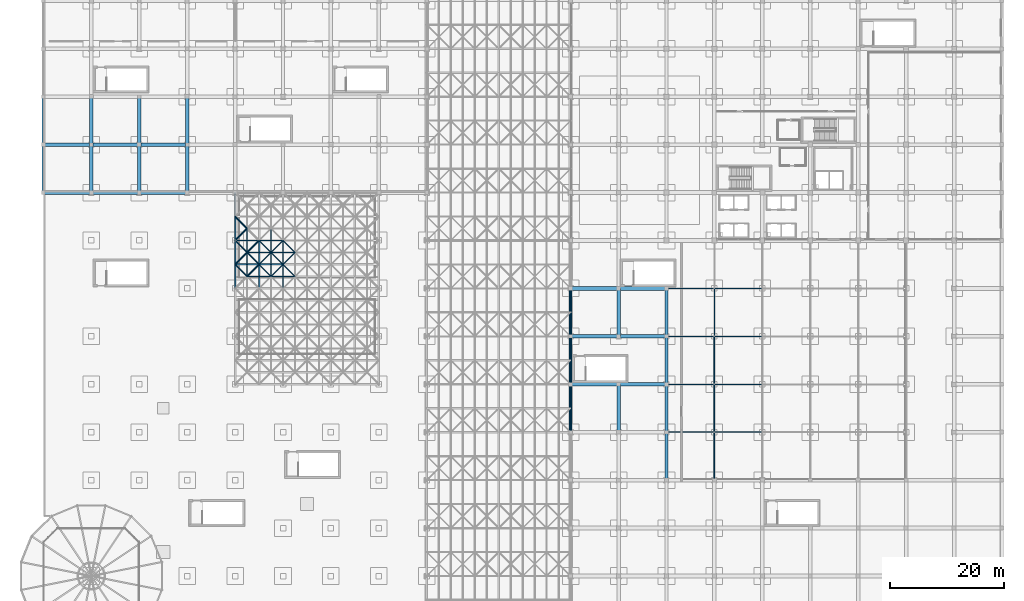
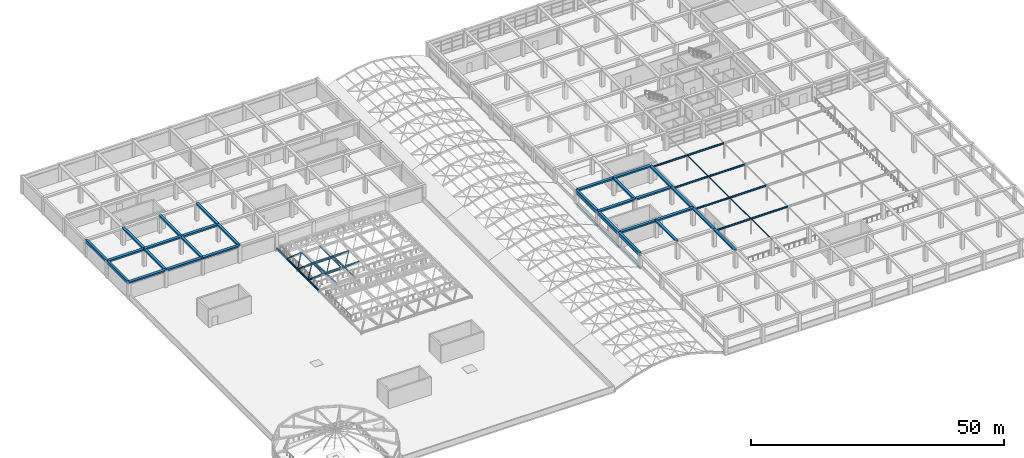
# One storey, part 23 of 85: 42 beams, 40 members.
"""IFC4 building model written with IfcOpenShell, lengths in metres."""

from ifc_helpers import new_model, si_unit, direction, frame, origin, origin_2d, place, context, subcontext, project, spatial, rectangle, hollow_rectangle, hollow_circle, i_section, extrude, material, material_profile, profile_set, type_object, element, save


model = new_model("IFC4")

# Units and contexts
model_context = context("Model", 3, precision=1e-05, world=origin(), true_north=direction((0.0, 1.0)))
body_context = subcontext(model_context, "Body", "Model", "MODEL_VIEW")
ifc_project = project(units=[si_unit("LENGTHUNIT", "METRE"), si_unit("AREAUNIT", "SQUARE_METRE"), si_unit("VOLUMEUNIT", "CUBIC_METRE"), si_unit("PLANEANGLEUNIT", "RADIAN"), si_unit("MASSUNIT", "GRAM", prefix="KILO")], contexts=[model_context])

# Site, building, storey
site_placement = place(None, origin())
site = spatial("IfcSite", under=ifc_project, at=site_placement, CompositionType="ELEMENT")
building_placement = place(site_placement, origin())
building = spatial("IfcBuilding", under=site, at=building_placement, Name="Almacenes y Pasaje Nevantli", CompositionType="ELEMENT")
storey_placement = place(building_placement, frame((0.0, 0.0, 22.199951171875)))
storey = spatial("IfcBuildingStorey", under=building, at=storey_placement, Name="L05", CompositionType="ELEMENT", Elevation=22.199951171875)

# Beams
ifc_material_1 = material(Name="Concrete C35/45", Category="concrete")
ifc_material_profile_1 = material_profile(ifc_material_1, rectangle(XDim=0.449951171875, YDim=0.699951171875, at=origin_2d()), Name="RC-BM-450x700")
ifc_profile_set_1 = profile_set([ifc_material_profile_1], Name="Concrete C35/45")
beam_type_1 = type_object("IfcBeamType", Name="BM-RC-450x700", PredefinedType="SPANDREL", material=ifc_profile_set_1)
for number, where, z_axis, x_axis, name in (
    (1, (0.0, 75.60009765625, 3.8701171875), (0.0, 1.0, 0.0), (-1.0, 0.0, 0.0), "L05 North-South Reinforced Concrete Beam #3422"),
    (2, (0.0, 84.0, 3.8701171875), (0.0, 1.0, 0.0), (-1.0, 0.0, 0.0), "L05 North-South Reinforced Concrete Beam #3423"),
):
    element("IfcBeam", number, at=place(storey_placement, frame(where, z_axis=z_axis, x_axis=x_axis)), inside=storey, type_object=beam_type_1, Name=name, PredefinedType="SPANDREL", context=body_context, shape_type="SweptSolid", body=[
        extrude(rectangle(XDim=0.449951171875, YDim=0.699951171875, at=origin_2d()), origin(), (0.0, 0.0, 1.0), 8.39990234375),
    ])
ifc_material_2 = material(Name="Concrete C35/45", Category="concrete")
ifc_material_profile_2 = material_profile(ifc_material_2, rectangle(XDim=0.550048828125, YDim=0.800048828125, at=origin_2d()), Name="RC-BM-550x800")
ifc_profile_set_2 = profile_set([ifc_material_profile_2], Name="Concrete C35/45")
beam_type_2 = type_object("IfcBeamType", Name="BM-RC-550x800", PredefinedType="BEAM", material=ifc_profile_set_2)
for number, where, z_axis, x_axis, name in (
    (3, (92.39990234375, 33.60009765625, 3.820068359375), (0.0, 1.0, 0.0), (-1.0, 0.0, 0.0), "L05 North-South Reinforced Concrete Beam #3468"),
    (4, (92.39990234375, 42.0, 3.820068359375), (0.0, 1.0, 0.0), (-1.0, 0.0, 0.0), "L05 North-South Reinforced Concrete Beam #3469"),
):
    element("IfcBeam", number, at=place(storey_placement, frame(where, z_axis=z_axis, x_axis=x_axis)), inside=storey, type_object=beam_type_2, Name=name, PredefinedType="BEAM", context=body_context, shape_type="SweptSolid", body=[
        extrude(rectangle(XDim=0.550048828125, YDim=0.800048828125, at=origin_2d()), origin(), (0.0, 0.0, 1.0), 8.39990234375),
    ])
beam_1_placement = place(storey_placement, frame((92.39990234375, 50.39990234375, 3.820068359375), z_axis=(0.0, 1.0, 0.0), x_axis=(-1.0, 0.0, 0.0)))
element("IfcBeam", 5, at=beam_1_placement, inside=storey, type_object=beam_type_2, Name="L05 North-South Reinforced Concrete Beam #3470", PredefinedType="BEAM", context=body_context, shape_type="SweptSolid", body=[
    extrude(rectangle(XDim=0.550048828125, YDim=0.800048828125, at=origin_2d()), origin(), (0.0, 0.0, 1.0), 8.400146484375),
])
ifc_material_3 = material(Name="Concrete C35/45", Category="concrete")
ifc_material_profile_3 = material_profile(ifc_material_3, rectangle(XDim=0.60009765625, YDim=0.320068359375, at=origin_2d()), Name="RC-BM-600x320")
ifc_profile_set_3 = profile_set([ifc_material_profile_3], Name="Concrete C35/45")
beam_type_3 = type_object("IfcBeamType", Name="BM-RC-600x320", PredefinedType="BEAM", material=ifc_profile_set_3)
for number, where, z_axis, x_axis, name in (
    (6, (8.39990234375, 84.0, 4.06005859375), (0.0, 1.0, 0.0), (-1.0, 0.0, 0.0), "L05 North-South Reinforced Concrete Beam #3428"),
    (7, (16.800048828125, 75.60009765625, 4.06005859375), (0.0, 1.0, 0.0), (-1.0, 0.0, 0.0), "L05 North-South Reinforced Concrete Beam #3432"),
    (8, (25.199951171875, 84.0, 4.06005859375), (0.0, 1.0, 0.0), (-1.0, 0.0, 0.0), "L05 North-South Reinforced Concrete Beam #3437"),
    (9, (109.199951171875, 33.60009765625, 4.06005859375), (0.0, 1.0, 0.0), (-1.0, 0.0, 0.0), "L05 North-South Reinforced Concrete Beam #3495"),
):
    element("IfcBeam", number, at=place(storey_placement, frame(where, z_axis=z_axis, x_axis=x_axis)), inside=storey, type_object=beam_type_3, Name=name, PredefinedType="BEAM", context=body_context, shape_type="SweptSolid", body=[
        extrude(rectangle(XDim=0.60009765625, YDim=0.320068359375, at=origin_2d()), origin(), (0.0, 0.0, 1.0), 8.39990234375),
    ])
beam_2_placement = place(storey_placement, frame((109.199951171875, 50.39990234375, 4.06005859375), z_axis=(0.0, 1.0, 0.0), x_axis=(-1.0, 0.0, 0.0)))
element("IfcBeam", 10, at=beam_2_placement, inside=storey, type_object=beam_type_3, Name="L05 North-South Reinforced Concrete Beam #3497", PredefinedType="BEAM", context=body_context, shape_type="SweptSolid", body=[
    extrude(rectangle(XDim=0.60009765625, YDim=0.320068359375, at=origin_2d()), origin(), (0.0, 0.0, 1.0), 8.400146484375),
])
ifc_material_4 = material(Name="Concrete C35/45", Category="concrete")
ifc_material_profile_4 = material_profile(ifc_material_4, rectangle(XDim=0.60009765625, YDim=0.340087890625, at=origin_2d()), Name="RC-BM-600x340")
ifc_profile_set_4 = profile_set([ifc_material_profile_4], Name="Concrete C35/45")
beam_type_4 = type_object("IfcBeamType", Name="BM-RC-600x340", PredefinedType="BEAM", material=ifc_profile_set_4)
for number, where, z_axis, x_axis, name in (
    (11, (8.39990234375, 75.60009765625, 4.050048828125), (0.0, 1.0, 0.0), (-1.0, 0.0, 0.0), "L05 North-South Reinforced Concrete Beam #3427"),
    (12, (16.800048828125, 84.0, 4.050048828125), (0.0, 1.0, 0.0), (-1.0, 0.0, 0.0), "L05 North-South Reinforced Concrete Beam #3433"),
    (13, (25.199951171875, 75.60009765625, 4.050048828125), (0.0, 1.0, 0.0), (-1.0, 0.0, 0.0), "L05 North-South Reinforced Concrete Beam #3436"),
    (14, (100.800048828125, 33.60009765625, 4.050048828125), (0.0, 1.0, 0.0), (-1.0, 0.0, 0.0), "L05 North-South Reinforced Concrete Beam #3482"),
):
    element("IfcBeam", number, at=place(storey_placement, frame(where, z_axis=z_axis, x_axis=x_axis)), inside=storey, type_object=beam_type_4, Name=name, PredefinedType="BEAM", context=body_context, shape_type="SweptSolid", body=[
        extrude(rectangle(XDim=0.60009765625, YDim=0.340087890625, at=origin_2d()), origin(), (0.0, 0.0, 1.0), 8.39990234375),
    ])
for number, where, z_axis, x_axis, name in (
    (15, (100.800048828125, 50.39990234375, 4.050048828125), (0.0, 1.0, 0.0), (-1.0, 0.0, 0.0), "L05 North-South Reinforced Concrete Beam #3483"),
    (16, (109.199951171875, 25.199951171875, 4.050048828125), (0.0, 1.0, 0.0), (-1.0, 0.0, 0.0), "L05 North-South Reinforced Concrete Beam #3494"),
):
    element("IfcBeam", number, at=place(storey_placement, frame(where, z_axis=z_axis, x_axis=x_axis)), inside=storey, type_object=beam_type_4, Name=name, PredefinedType="BEAM", context=body_context, shape_type="SweptSolid", body=[
        extrude(rectangle(XDim=0.60009765625, YDim=0.340087890625, at=origin_2d()), origin(), (0.0, 0.0, 1.0), 8.400146484375),
    ])
beam_3_placement = place(storey_placement, frame((109.199951171875, 42.0, 4.050048828125), z_axis=(0.0, 1.0, 0.0), x_axis=(-1.0, 0.0, 0.0)))
element("IfcBeam", 17, at=beam_3_placement, inside=storey, type_object=beam_type_4, Name="L05 North-South Reinforced Concrete Beam #3496", PredefinedType="BEAM", context=body_context, shape_type="SweptSolid", body=[
    extrude(rectangle(XDim=0.60009765625, YDim=0.340087890625, at=origin_2d()), origin(), (0.0, 0.0, 1.0), 8.39990234375),
])
ifc_material_5 = material(Name="Concrete C35/45", Category="concrete")
ifc_material_profile_5 = material_profile(ifc_material_5, rectangle(XDim=0.64990234375, YDim=0.35009765625, at=origin_2d()), Name="RC-BM-650x350")
ifc_profile_set_5 = profile_set([ifc_material_profile_5], Name="Concrete C35/45")
beam_type_5 = type_object("IfcBeamType", Name="BM-RC-650x350", PredefinedType="BEAM", material=ifc_profile_set_5)
beam_4_placement = place(storey_placement, frame((100.800048828125, 42.0, 4.045166015625), z_axis=(1.0, 0.0, 0.0), x_axis=(0.0, 1.0, 0.0)))
element("IfcBeam", 18, at=beam_4_placement, inside=storey, type_object=beam_type_5, Name="L05 East-West Reinforced Concrete Beam #3303", PredefinedType="BEAM", context=body_context, shape_type="SweptSolid", body=[
    extrude(rectangle(XDim=0.64990234375, YDim=0.35009765625, at=origin_2d()), origin(), (0.0, 0.0, 1.0), 8.39990234375),
])
beam_5_placement = place(storey_placement, frame((92.39990234375, 50.39990234375, 4.045166015625), z_axis=(1.0, 0.0, 0.0), x_axis=(0.0, 1.0, 0.0)))
element("IfcBeam", 19, at=beam_5_placement, inside=storey, type_object=beam_type_5, Name="L05 East-West Reinforced Concrete Beam #3305", PredefinedType="BEAM", context=body_context, shape_type="SweptSolid", body=[
    extrude(rectangle(XDim=0.64990234375, YDim=0.35009765625, at=origin_2d()), origin(), (0.0, 0.0, 1.0), 8.400146484375),
])
for number, where, z_axis, x_axis, name in (
    (20, (100.800048828125, 58.800048828125, 4.045166015625), (1.0, 0.0, 0.0), (0.0, 1.0, 0.0), "L05 East-West Reinforced Concrete Beam #3309"),
    (21, (0.0, 75.60009765625, 4.045166015625), (1.0, 0.0, 0.0), (0.0, 1.0, 0.0), "L05 East-West Reinforced Concrete Beam #3320"),
    (22, (16.800048828125, 75.60009765625, 4.045166015625), (1.0, 0.0, 0.0), (0.0, 1.0, 0.0), "L05 East-West Reinforced Concrete Beam #3322"),
):
    element("IfcBeam", number, at=place(storey_placement, frame(where, z_axis=z_axis, x_axis=x_axis)), inside=storey, type_object=beam_type_5, Name=name, PredefinedType="BEAM", context=body_context, shape_type="SweptSolid", body=[
        extrude(rectangle(XDim=0.64990234375, YDim=0.35009765625, at=origin_2d()), origin(), (0.0, 0.0, 1.0), 8.39990234375),
    ])
beam_6_placement = place(storey_placement, frame((8.39990234375, 84.0, 4.045166015625), z_axis=(1.0, 0.0, 0.0), x_axis=(0.0, 1.0, 0.0)))
element("IfcBeam", 23, at=beam_6_placement, inside=storey, type_object=beam_type_5, Name="L05 East-West Reinforced Concrete Beam #3338", PredefinedType="BEAM", context=body_context, shape_type="SweptSolid", body=[
    extrude(rectangle(XDim=0.64990234375, YDim=0.35009765625, at=origin_2d()), origin(), (0.0, 0.0, 1.0), 8.400146484375),
])
ifc_material_6 = material(Name="Concrete C35/45", Category="concrete")
ifc_material_profile_6 = material_profile(ifc_material_6, rectangle(XDim=0.64990234375, YDim=0.3798828125, at=origin_2d()), Name="RC-BM-650x380")
ifc_profile_set_6 = profile_set([ifc_material_profile_6], Name="Concrete C35/45")
beam_type_6 = type_object("IfcBeamType", Name="BM-RC-650x380", PredefinedType="BEAM", material=ifc_profile_set_6)
beam_7_placement = place(storey_placement, frame((92.39990234375, 42.0, 4.030029296875), z_axis=(1.0, 0.0, 0.0), x_axis=(0.0, 1.0, 0.0)))
element("IfcBeam", 24, at=beam_7_placement, inside=storey, type_object=beam_type_6, Name="L05 East-West Reinforced Concrete Beam #3302", PredefinedType="BEAM", context=body_context, shape_type="SweptSolid", body=[
    extrude(rectangle(XDim=0.64990234375, YDim=0.3798828125, at=origin_2d()), origin(), (0.0, 0.0, 1.0), 8.400146484375),
])
beam_8_placement = place(storey_placement, frame((100.800048828125, 50.39990234375, 4.030029296875), z_axis=(1.0, 0.0, 0.0), x_axis=(0.0, 1.0, 0.0)))
element("IfcBeam", 25, at=beam_8_placement, inside=storey, type_object=beam_type_6, Name="L05 East-West Reinforced Concrete Beam #3306", PredefinedType="BEAM", context=body_context, shape_type="SweptSolid", body=[
    extrude(rectangle(XDim=0.64990234375, YDim=0.3798828125, at=origin_2d()), origin(), (0.0, 0.0, 1.0), 8.39990234375),
])
for number, where, z_axis, x_axis, name in (
    (26, (92.39990234375, 58.800048828125, 4.030029296875), (1.0, 0.0, 0.0), (0.0, 1.0, 0.0), "L05 East-West Reinforced Concrete Beam #3308"),
    (27, (8.39990234375, 75.60009765625, 4.030029296875), (1.0, 0.0, 0.0), (0.0, 1.0, 0.0), "L05 East-West Reinforced Concrete Beam #3321"),
):
    element("IfcBeam", number, at=place(storey_placement, frame(where, z_axis=z_axis, x_axis=x_axis)), inside=storey, type_object=beam_type_6, Name=name, PredefinedType="BEAM", context=body_context, shape_type="SweptSolid", body=[
        extrude(rectangle(XDim=0.64990234375, YDim=0.3798828125, at=origin_2d()), origin(), (0.0, 0.0, 1.0), 8.400146484375),
    ])
for number, where, z_axis, x_axis, name in (
    (28, (0.0, 84.0, 4.030029296875), (1.0, 0.0, 0.0), (0.0, 1.0, 0.0), "L05 East-West Reinforced Concrete Beam #3337"),
    (29, (16.800048828125, 84.0, 4.030029296875), (1.0, 0.0, 0.0), (0.0, 1.0, 0.0), "L05 East-West Reinforced Concrete Beam #3339"),
):
    element("IfcBeam", number, at=place(storey_placement, frame(where, z_axis=z_axis, x_axis=x_axis)), inside=storey, type_object=beam_type_6, Name=name, PredefinedType="BEAM", context=body_context, shape_type="SweptSolid", body=[
        extrude(rectangle(XDim=0.64990234375, YDim=0.3798828125, at=origin_2d()), origin(), (0.0, 0.0, 1.0), 8.39990234375),
    ])
ifc_material_7 = material(Name="Steel ASTM A992", Category="steel")
ifc_material_profile_7 = material_profile(ifc_material_7, i_section(OverallWidth=0.180908203125, OverallDepth=0.406005859375, WebThickness=0.010986328125, FlangeThickness=0.018310546875, at=origin_2d()), Name="IR 406x85.0")
ifc_profile_set_7 = profile_set([ifc_material_profile_7], Name="Steel ASTM A992")
beam_type_7 = type_object("IfcBeamType", Name="BM-STL-IR-406x85p0", PredefinedType="BEAM", material=ifc_profile_set_7)
for number, where, z_axis, x_axis, name in (
    (30, (109.199951171875, 33.60009765625, 3.60009765625), (1.0, 0.0, 0.0), (0.0, 1.0, 0.0), "L05 Ziggurat Terrace Pergola Steel Girder #1"),
    (31, (109.199951171875, 42.0, 3.60009765625), (1.0, 0.0, 0.0), (0.0, 1.0, 0.0), "L05 Ziggurat Terrace Pergola Steel Girder #2"),
    (32, (109.199951171875, 50.39990234375, 3.60009765625), (1.0, 0.0, 0.0), (0.0, 1.0, 0.0), "L05 Ziggurat Terrace Pergola Steel Girder #3"),
    (33, (109.199951171875, 58.800048828125, 3.60009765625), (1.0, 0.0, 0.0), (0.0, 1.0, 0.0), "L05 Ziggurat Terrace Pergola Steel Girder #4"),
):
    element("IfcBeam", number, at=place(storey_placement, frame(where, z_axis=z_axis, x_axis=x_axis)), inside=storey, type_object=beam_type_7, Name=name, PredefinedType="BEAM", context=body_context, shape_type="SweptSolid", body=[
        extrude(i_section(OverallWidth=0.180908203125, OverallDepth=0.406005859375, WebThickness=0.010986328125, FlangeThickness=0.018310546875, at=origin_2d()), origin(), (0.0, 0.0, 1.0), 8.400146484375),
    ])
for number, where, z_axis, x_axis, name in (
    (34, (117.60009765625, 33.60009765625, 3.60009765625), (1.0, 0.0, 0.0), (0.0, 1.0, 0.0), "L05 Ziggurat Terrace Pergola Steel Girder #5"),
    (35, (117.60009765625, 42.0, 3.60009765625), (1.0, 0.0, 0.0), (0.0, 1.0, 0.0), "L05 Ziggurat Terrace Pergola Steel Girder #6"),
    (36, (117.60009765625, 50.39990234375, 3.60009765625), (1.0, 0.0, 0.0), (0.0, 1.0, 0.0), "L05 Ziggurat Terrace Pergola Steel Girder #7"),
    (37, (117.60009765625, 58.800048828125, 3.60009765625), (1.0, 0.0, 0.0), (0.0, 1.0, 0.0), "L05 Ziggurat Terrace Pergola Steel Girder #8"),
):
    element("IfcBeam", number, at=place(storey_placement, frame(where, z_axis=z_axis, x_axis=x_axis)), inside=storey, type_object=beam_type_7, Name=name, PredefinedType="BEAM", context=body_context, shape_type="SweptSolid", body=[
        extrude(i_section(OverallWidth=0.180908203125, OverallDepth=0.406005859375, WebThickness=0.010986328125, FlangeThickness=0.018310546875, at=origin_2d()), origin(), (0.0, 0.0, 1.0), 8.39990234375),
    ])
ifc_material_8 = material(Name="Steel ASTM A992", Category="steel")
ifc_material_profile_8 = material_profile(ifc_material_8, i_section(OverallWidth=0.193115234375, OverallDepth=0.4599609375, WebThickness=0.011474609375, FlangeThickness=0.01904296875, at=origin_2d()), Name="IR 457x96.7")
ifc_profile_set_8 = profile_set([ifc_material_profile_8], Name="Steel ASTM A992")
beam_type_8 = type_object("IfcBeamType", Name="BM-STL-IR-457x96p7", PredefinedType="BEAM", material=ifc_profile_set_8)
beam_9_placement = place(storey_placement, frame((33.60009765625, 58.800048828125, 0.449951171875), z_axis=(0.0, 1.0, 0.0), x_axis=(-1.0, 0.0, 0.0)))
element("IfcBeam", 38, at=beam_9_placement, inside=storey, type_object=beam_type_8, Name="Atrium Skylight Perimeter Steel Eave Girder #3", PredefinedType="BEAM", context=body_context, shape_type="SweptSolid", body=[
    extrude(i_section(OverallWidth=0.193115234375, OverallDepth=0.4599609375, WebThickness=0.011474609375, FlangeThickness=0.01904296875, at=origin_2d()), origin(), (0.0, 0.0, 1.0), 8.39990234375),
])
beam_10_placement = place(storey_placement, frame((33.60009765625, 67.199951171875, 0.449951171875), z_axis=(0.0, 1.0, 0.0), x_axis=(-1.0, 0.0, 0.0)))
element("IfcBeam", 39, at=beam_10_placement, inside=storey, type_object=beam_type_8, Name="Atrium Skylight Perimeter Steel Eave Girder #4", PredefinedType="BEAM", context=body_context, shape_type="SweptSolid", body=[
    extrude(i_section(OverallWidth=0.193115234375, OverallDepth=0.4599609375, WebThickness=0.011474609375, FlangeThickness=0.01904296875, at=origin_2d()), origin(), (0.0, 0.0, 1.0), 8.400146484375),
])
ifc_material_9 = material(Name="Steel ASTM A992", Category="steel")
ifc_material_profile_9 = material_profile(ifc_material_9, i_section(OverallWidth=0.208984375, OverallDepth=0.532958984375, WebThickness=0.01025390625, FlangeThickness=0.015625, at=origin_2d()), Name="IR 533x92.5")
ifc_profile_set_9 = profile_set([ifc_material_profile_9], Name="Steel ASTM A992")
beam_type_9 = type_object("IfcBeamType", Name="BM-STL-IR-533x92p5", PredefinedType="BEAM", material=ifc_profile_set_9)
for number, where, z_axis, x_axis, name in (
    (40, (92.39990234375, 33.60009765625, 0.400146484375), (0.0, 1.0, 0.0), (-1.0, 0.0, 0.0), "L05 Arcade Barrel Vault Eave Steel Girder #2.5"),
    (41, (92.39990234375, 42.0, 0.400146484375), (0.0, 1.0, 0.0), (-1.0, 0.0, 0.0), "L05 Arcade Barrel Vault Eave Steel Girder #2.6"),
):
    element("IfcBeam", number, at=place(storey_placement, frame(where, z_axis=z_axis, x_axis=x_axis)), inside=storey, type_object=beam_type_9, Name=name, PredefinedType="BEAM", context=body_context, shape_type="SweptSolid", body=[
        extrude(i_section(OverallWidth=0.208984375, OverallDepth=0.532958984375, WebThickness=0.01025390625, FlangeThickness=0.015625, at=origin_2d()), origin(), (0.0, 0.0, 1.0), 8.39990234375),
    ])
beam_11_placement = place(storey_placement, frame((92.39990234375, 50.39990234375, 0.400146484375), z_axis=(0.0, 1.0, 0.0), x_axis=(-1.0, 0.0, 0.0)))
element("IfcBeam", 42, at=beam_11_placement, inside=storey, type_object=beam_type_9, Name="L05 Arcade Barrel Vault Eave Steel Girder #2.7", PredefinedType="BEAM", context=body_context, shape_type="SweptSolid", body=[
    extrude(i_section(OverallWidth=0.208984375, OverallDepth=0.532958984375, WebThickness=0.01025390625, FlangeThickness=0.015625, at=origin_2d()), origin(), (0.0, 0.0, 1.0), 8.400146484375),
])

# Members
ifc_material_10 = material(Name="Steel ASTM A500 Grade C", Category="steel")
ifc_material_profile_10 = material_profile(ifc_material_10, hollow_circle(Radius=0.109619140625, WallThickness=0.00830078125, at=origin_2d()), Name="OC 219x8.2")
ifc_profile_set_10 = profile_set([ifc_material_profile_10], Name="Steel ASTM A500 Grade C")
member_type_1 = type_object("IfcMemberType", Name="MBR-BRC-OC219", PredefinedType="BRACE", material=ifc_profile_set_10)
for number, where, z_axis, x_axis, name in (
    (43, (42.0, 63.0, 0.449951171875), (-0.57735026919, -0.57735026919, 0.57735026919), (0.707106781187, -0.707106781187, 0.0), "Atrium Skylight Space Frame Diagonal Web #184"),
    (44, (37.800048828125, 63.0, 0.449951171875), (0.57730552116, -0.577372641904, 0.577372641904), (0.707147883682, 0.707065676302, 0.0), "Atrium Skylight Space Frame Diagonal Web #185"),
    (45, (37.800048828125, 63.0, 0.449951171875), (0.57730552116, 0.577372641904, 0.577372641904), (-0.707147883682, 0.707065676302, 0.0), "Atrium Skylight Space Frame Diagonal Web #188"),
    (46, (42.0, 63.0, 0.449951171875), (-0.57735026919, 0.57735026919, 0.57735026919), (-0.707106781187, -0.707106781187, 0.0), "Atrium Skylight Space Frame Diagonal Web #189"),
    (47, (42.0, 67.199951171875, 0.449951171875), (-0.577372641904, -0.57730552116, 0.577372641904), (0.707065676302, -0.707147883682, 0.0), "Atrium Skylight Space Frame Diagonal Web #190"),
):
    element("IfcMember", number, at=place(storey_placement, frame(where, z_axis=z_axis, x_axis=x_axis)), inside=storey, type_object=member_type_1, Name=name, PredefinedType="BRACE", context=body_context, shape_type="SweptSolid", body=[
        extrude(hollow_circle(Radius=0.109619140625, WallThickness=0.00830078125, at=origin_2d()), origin(), (0.0, 0.0, 1.0), 3.637451171875),
    ])
member_1_placement = place(storey_placement, frame((37.800048828125, 67.199951171875, 0.449951171875), z_axis=(0.577327893874, -0.577327893874, 0.577395017219), x_axis=(0.707106781187, 0.707106781187, 0.0)))
element("IfcMember", 48, at=member_1_placement, inside=storey, type_object=member_type_1, Name="Atrium Skylight Space Frame Diagonal Web #191", PredefinedType="BRACE", context=body_context, shape_type="SweptSolid", body=[
    extrude(hollow_circle(Radius=0.109619140625, WallThickness=0.00830078125, at=origin_2d()), origin(), (0.0, 0.0, 1.0), 3.63720703125),
])
for number, where, z_axis, x_axis, name in (
    (49, (42.0, 63.0, 0.449951171875), (0.57735026919, -0.57735026919, 0.57735026919), (0.707106781187, 0.707106781187, 0.0), "Atrium Skylight Space Frame Diagonal Web #232"),
    (50, (42.0, 63.0, 0.449951171875), (0.57735026919, 0.57735026919, 0.57735026919), (-0.707106781187, 0.707106781187, 0.0), "Atrium Skylight Space Frame Diagonal Web #235"),
    (51, (42.0, 67.199951171875, 0.449951171875), (0.577372641904, -0.57730552116, 0.577372641904), (0.707065676302, 0.707147883682, 0.0), "Atrium Skylight Space Frame Diagonal Web #238"),
):
    element("IfcMember", number, at=place(storey_placement, frame(where, z_axis=z_axis, x_axis=x_axis)), inside=storey, type_object=member_type_1, Name=name, PredefinedType="BRACE", context=body_context, shape_type="SweptSolid", body=[
        extrude(hollow_circle(Radius=0.109619140625, WallThickness=0.00830078125, at=origin_2d()), origin(), (0.0, 0.0, 1.0), 3.637451171875),
    ])
ifc_material_11 = material(Name="Steel ASTM A500 Grade C", Category="steel")
ifc_material_profile_11 = material_profile(ifc_material_11, hollow_circle(Radius=0.136474609375, WallThickness=0.00927734375, at=origin_2d()), Name="OC 273x9.3")
ifc_profile_set_11 = profile_set([ifc_material_profile_11], Name="Steel ASTM A500 Grade C")
member_type_2 = type_object("IfcMemberType", Name="MBR-BRC-OC273", PredefinedType="BRACE", material=ifc_profile_set_11)
for number, where, z_axis, x_axis, name in (
    (52, (37.800048828125, 63.0, 0.449951171875), (-0.57735026919, -0.57735026919, 0.57735026919), (0.707106781187, -0.707106781187, 0.0), "Atrium Skylight Space Frame Diagonal Web #137"),
    (53, (33.60009765625, 63.0, 0.449951171875), (0.57730552116, -0.577372641904, 0.577372641904), (0.707147883682, 0.707065676302, 0.0), "Atrium Skylight Space Frame Diagonal Web #138"),
    (54, (33.60009765625, 63.0, 0.449951171875), (0.57730552116, 0.577372641904, 0.577372641904), (-0.707147883682, 0.707065676302, 0.0), "Atrium Skylight Space Frame Diagonal Web #141"),
    (55, (37.800048828125, 63.0, 0.449951171875), (-0.57735026919, 0.57735026919, 0.57735026919), (-0.707106781187, -0.707106781187, 0.0), "Atrium Skylight Space Frame Diagonal Web #142"),
    (56, (37.800048828125, 67.199951171875, 0.449951171875), (-0.577372641904, -0.57730552116, 0.577372641904), (0.707065676302, -0.707147883682, 0.0), "Atrium Skylight Space Frame Diagonal Web #143"),
):
    element("IfcMember", number, at=place(storey_placement, frame(where, z_axis=z_axis, x_axis=x_axis)), inside=storey, type_object=member_type_2, Name=name, PredefinedType="BRACE", context=body_context, shape_type="SweptSolid", body=[
        extrude(hollow_circle(Radius=0.136474609375, WallThickness=0.00927734375, at=origin_2d()), origin(), (0.0, 0.0, 1.0), 3.637451171875),
    ])
member_2_placement = place(storey_placement, frame((33.60009765625, 67.199951171875, 0.449951171875), z_axis=(0.577327893874, -0.577327893874, 0.577395017219), x_axis=(0.707106781187, 0.707106781187, 0.0)))
element("IfcMember", 57, at=member_2_placement, inside=storey, type_object=member_type_2, Name="Atrium Skylight Space Frame Diagonal Web #144", PredefinedType="BRACE", context=body_context, shape_type="SweptSolid", body=[
    extrude(hollow_circle(Radius=0.136474609375, WallThickness=0.00927734375, at=origin_2d()), origin(), (0.0, 0.0, 1.0), 3.63720703125),
])
member_3_placement = place(storey_placement, frame((33.60009765625, 67.199951171875, 0.449951171875), z_axis=(0.57730552116, 0.577372641904, 0.577372641904), x_axis=(-0.707147883682, 0.707065676302, 0.0)))
element("IfcMember", 58, at=member_3_placement, inside=storey, type_object=member_type_2, Name="Atrium Skylight Space Frame Diagonal Web #147", PredefinedType="BRACE", context=body_context, shape_type="SweptSolid", body=[
    extrude(hollow_circle(Radius=0.136474609375, WallThickness=0.00927734375, at=origin_2d()), origin(), (0.0, 0.0, 1.0), 3.637451171875),
])
member_4_placement = place(storey_placement, frame((33.60009765625, 71.39990234375, 0.449951171875), z_axis=(0.577327893874, -0.577327893874, 0.577395017219), x_axis=(0.707106781187, 0.707106781187, 0.0)))
element("IfcMember", 59, at=member_4_placement, inside=storey, type_object=member_type_2, Name="Atrium Skylight Space Frame Diagonal Web #150", PredefinedType="BRACE", context=body_context, shape_type="SweptSolid", body=[
    extrude(hollow_circle(Radius=0.136474609375, WallThickness=0.00927734375, at=origin_2d()), origin(), (0.0, 0.0, 1.0), 3.63720703125),
])
ifc_material_12 = material(Name="Steel ASTM A500 Grade C", Category="steel")
ifc_material_profile_12 = material_profile(ifc_material_12, hollow_rectangle(XDim=0.203125, YDim=0.203125, WallThickness=0.009521484375, at=origin_2d()), Name="OR 203x203x9.5")
ifc_profile_set_12 = profile_set([ifc_material_profile_12], Name="Steel ASTM A500 Grade C")
member_type_3 = type_object("IfcMemberType", Name="MBR-BRC-OR203", PredefinedType="BRACE", material=ifc_profile_set_12)
member_5_placement = place(storey_placement, frame((35.699951171875, 60.89990234375, 2.550048828125), z_axis=(1.0, 0.0, 0.0), x_axis=(0.0, 1.0, 0.0)))
element("IfcMember", 60, at=member_5_placement, inside=storey, type_object=member_type_3, Name="Atrium Skylight Space Frame Top Chord X #139", PredefinedType="BRACE", context=body_context, shape_type="SweptSolid", body=[
    extrude(hollow_rectangle(XDim=0.203125, YDim=0.203125, WallThickness=0.009521484375, at=origin_2d()), origin(), (0.0, 0.0, 1.0), 4.199951171875),
])
member_6_placement = place(storey_placement, frame((35.699951171875, 60.89990234375, 2.550048828125), z_axis=(0.0, 1.0, 0.0), x_axis=(-1.0, 0.0, 0.0)))
element("IfcMember", 61, at=member_6_placement, inside=storey, type_object=member_type_3, Name="Atrium Skylight Space Frame Top Chord Y #140", PredefinedType="BRACE", context=body_context, shape_type="SweptSolid", body=[
    extrude(hollow_rectangle(XDim=0.203125, YDim=0.203125, WallThickness=0.009521484375, at=origin_2d()), origin(), (0.0, 0.0, 1.0), 4.2001953125),
])
for number, where, z_axis, x_axis, name in (
    (62, (35.699951171875, 65.10009765625, 2.550048828125), (1.0, 0.0, 0.0), (0.0, 1.0, 0.0), "Atrium Skylight Space Frame Top Chord X #145"),
    (63, (35.699951171875, 65.10009765625, 2.550048828125), (0.0, 1.0, 0.0), (-1.0, 0.0, 0.0), "Atrium Skylight Space Frame Top Chord Y #146"),
):
    element("IfcMember", number, at=place(storey_placement, frame(where, z_axis=z_axis, x_axis=x_axis)), inside=storey, type_object=member_type_3, Name=name, PredefinedType="BRACE", context=body_context, shape_type="SweptSolid", body=[
        extrude(hollow_rectangle(XDim=0.203125, YDim=0.203125, WallThickness=0.009521484375, at=origin_2d()), origin(), (0.0, 0.0, 1.0), 4.199951171875),
    ])
for number, where, z_axis, x_axis, name in (
    (64, (39.89990234375, 60.89990234375, 2.550048828125), (1.0, 0.0, 0.0), (0.0, 1.0, 0.0), "Atrium Skylight Space Frame Top Chord X #186"),
    (65, (39.89990234375, 60.89990234375, 2.550048828125), (0.0, 1.0, 0.0), (-1.0, 0.0, 0.0), "Atrium Skylight Space Frame Top Chord Y #187"),
    (66, (39.89990234375, 65.10009765625, 2.550048828125), (1.0, 0.0, 0.0), (0.0, 1.0, 0.0), "Atrium Skylight Space Frame Top Chord X #192"),
):
    element("IfcMember", number, at=place(storey_placement, frame(where, z_axis=z_axis, x_axis=x_axis)), inside=storey, type_object=member_type_3, Name=name, PredefinedType="BRACE", context=body_context, shape_type="SweptSolid", body=[
        extrude(hollow_rectangle(XDim=0.203125, YDim=0.203125, WallThickness=0.009521484375, at=origin_2d()), origin(), (0.0, 0.0, 1.0), 4.2001953125),
    ])
member_7_placement = place(storey_placement, frame((39.89990234375, 65.10009765625, 2.550048828125), z_axis=(0.0, 1.0, 0.0), x_axis=(-1.0, 0.0, 0.0)))
element("IfcMember", 67, at=member_7_placement, inside=storey, type_object=member_type_3, Name="Atrium Skylight Space Frame Top Chord Y #193", PredefinedType="BRACE", context=body_context, shape_type="SweptSolid", body=[
    extrude(hollow_rectangle(XDim=0.203125, YDim=0.203125, WallThickness=0.009521484375, at=origin_2d()), origin(), (0.0, 0.0, 1.0), 4.199951171875),
])
ifc_material_13 = material(Name="Steel ASTM A500 Grade C", Category="steel")
ifc_material_profile_13 = material_profile(ifc_material_13, hollow_rectangle(XDim=0.25390625, YDim=0.25390625, WallThickness=0.009521484375, at=origin_2d()), Name="OR 254x254x9.5")
ifc_profile_set_13 = profile_set([ifc_material_profile_13], Name="Steel ASTM A500 Grade C")
member_type_4 = type_object("IfcMemberType", Name="MBR-BRC-OR254", PredefinedType="BRACE", material=ifc_profile_set_13)
for number, where, z_axis, x_axis, name in (
    (68, (33.60009765625, 58.800048828125, 0.449951171875), (0.0, 1.0, 0.0), (-1.0, 0.0, 0.0), "Atrium Skylight Space Frame Bottom Chord #5"),
    (69, (33.60009765625, 63.0, 0.449951171875), (0.0, 1.0, 0.0), (-1.0, 0.0, 0.0), "Atrium Skylight Space Frame Bottom Chord #6"),
    (70, (33.60009765625, 67.199951171875, 0.449951171875), (0.0, 1.0, 0.0), (-1.0, 0.0, 0.0), "Atrium Skylight Space Frame Bottom Chord #7"),
    (71, (37.800048828125, 58.800048828125, 0.449951171875), (0.0, 1.0, 0.0), (-1.0, 0.0, 0.0), "Atrium Skylight Space Frame Bottom Chord #13"),
    (72, (37.800048828125, 63.0, 0.449951171875), (0.0, 1.0, 0.0), (-1.0, 0.0, 0.0), "Atrium Skylight Space Frame Bottom Chord #14"),
    (73, (42.0, 58.800048828125, 0.449951171875), (0.0, 1.0, 0.0), (-1.0, 0.0, 0.0), "Atrium Skylight Space Frame Bottom Chord #21"),
    (74, (42.0, 63.0, 0.449951171875), (0.0, 1.0, 0.0), (-1.0, 0.0, 0.0), "Atrium Skylight Space Frame Bottom Chord #22"),
    (75, (33.60009765625, 63.0, 0.449951171875), (1.0, 0.0, 0.0), (0.0, 1.0, 0.0), "Atrium Skylight Space Frame Bottom Cross Chord #87"),
    (76, (37.800048828125, 63.0, 0.449951171875), (1.0, 0.0, 0.0), (0.0, 1.0, 0.0), "Atrium Skylight Space Frame Bottom Cross Chord #88"),
    (77, (33.60009765625, 67.199951171875, 0.449951171875), (1.0, 0.0, 0.0), (0.0, 1.0, 0.0), "Atrium Skylight Space Frame Bottom Cross Chord #93"),
    (78, (37.800048828125, 67.199951171875, 0.449951171875), (1.0, 0.0, 0.0), (0.0, 1.0, 0.0), "Atrium Skylight Space Frame Bottom Cross Chord #94"),
):
    element("IfcMember", number, at=place(storey_placement, frame(where, z_axis=z_axis, x_axis=x_axis)), inside=storey, type_object=member_type_4, Name=name, PredefinedType="BRACE", context=body_context, shape_type="SweptSolid", body=[
        extrude(hollow_rectangle(XDim=0.25390625, YDim=0.25390625, WallThickness=0.009521484375, at=origin_2d()), origin(), (0.0, 0.0, 1.0), 4.199951171875),
    ])
ifc_material_14 = material(Name="Steel ASTM A500 Grade C", Category="steel")
ifc_material_profile_14 = material_profile(ifc_material_14, hollow_rectangle(XDim=0.126953125, YDim=0.126953125, WallThickness=0.00634765625, at=origin_2d()), Name="OR 127x127x6.4")
ifc_profile_set_14 = profile_set([ifc_material_profile_14], Name="Steel ASTM A500 Grade C")
member_type_5 = type_object("IfcMemberType", Name="MBR-PUR-OR127x127", PredefinedType="PURLIN", material=ifc_profile_set_14)
member_8_placement = place(storey_placement, frame((117.60009765625, 50.39990234375, 3.60009765625), z_axis=(0.0, 1.0, 0.0), x_axis=(-1.0, 0.0, 0.0)))
element("IfcMember", 79, at=member_8_placement, inside=storey, type_object=member_type_5, Name="L05 Ziggurat Terrace Pergola Steel Tie #24", PredefinedType="PURLIN", context=body_context, shape_type="SweptSolid", body=[
    extrude(hollow_rectangle(XDim=0.126953125, YDim=0.126953125, WallThickness=0.00634765625, at=origin_2d()), origin(), (0.0, 0.0, 1.0), 8.400146484375),
])
ifc_material_15 = material(Name="Steel ASTM A500 Grade C", Category="steel")
ifc_material_profile_15 = material_profile(ifc_material_15, hollow_rectangle(XDim=0.15234375, YDim=0.15234375, WallThickness=0.00634765625, at=origin_2d()), Name="OR 152x152x6.4")
ifc_profile_set_15 = profile_set([ifc_material_profile_15], Name="Steel ASTM A500 Grade C")
member_type_6 = type_object("IfcMemberType", Name="MBR-PUR-OR152x152", PredefinedType="PURLIN", material=ifc_profile_set_15)
member_9_placement = place(storey_placement, frame((117.60009765625, 25.199951171875, 3.60009765625), z_axis=(0.0, 1.0, 0.0), x_axis=(-1.0, 0.0, 0.0)))
element("IfcMember", 80, at=member_9_placement, inside=storey, type_object=member_type_6, Name="L05 Ziggurat Terrace Pergola Steel Tie #21", PredefinedType="PURLIN", context=body_context, shape_type="SweptSolid", body=[
    extrude(hollow_rectangle(XDim=0.15234375, YDim=0.15234375, WallThickness=0.00634765625, at=origin_2d()), origin(), (0.0, 0.0, 1.0), 8.400146484375),
])
for number, where, z_axis, x_axis, name in (
    (81, (117.60009765625, 33.60009765625, 3.60009765625), (0.0, 1.0, 0.0), (-1.0, 0.0, 0.0), "L05 Ziggurat Terrace Pergola Steel Tie #22"),
    (82, (117.60009765625, 42.0, 3.60009765625), (0.0, 1.0, 0.0), (-1.0, 0.0, 0.0), "L05 Ziggurat Terrace Pergola Steel Tie #23"),
):
    element("IfcMember", number, at=place(storey_placement, frame(where, z_axis=z_axis, x_axis=x_axis)), inside=storey, type_object=member_type_6, Name=name, PredefinedType="PURLIN", context=body_context, shape_type="SweptSolid", body=[
        extrude(hollow_rectangle(XDim=0.15234375, YDim=0.15234375, WallThickness=0.00634765625, at=origin_2d()), origin(), (0.0, 0.0, 1.0), 8.39990234375),
    ])

save(model, "model.ifc")
